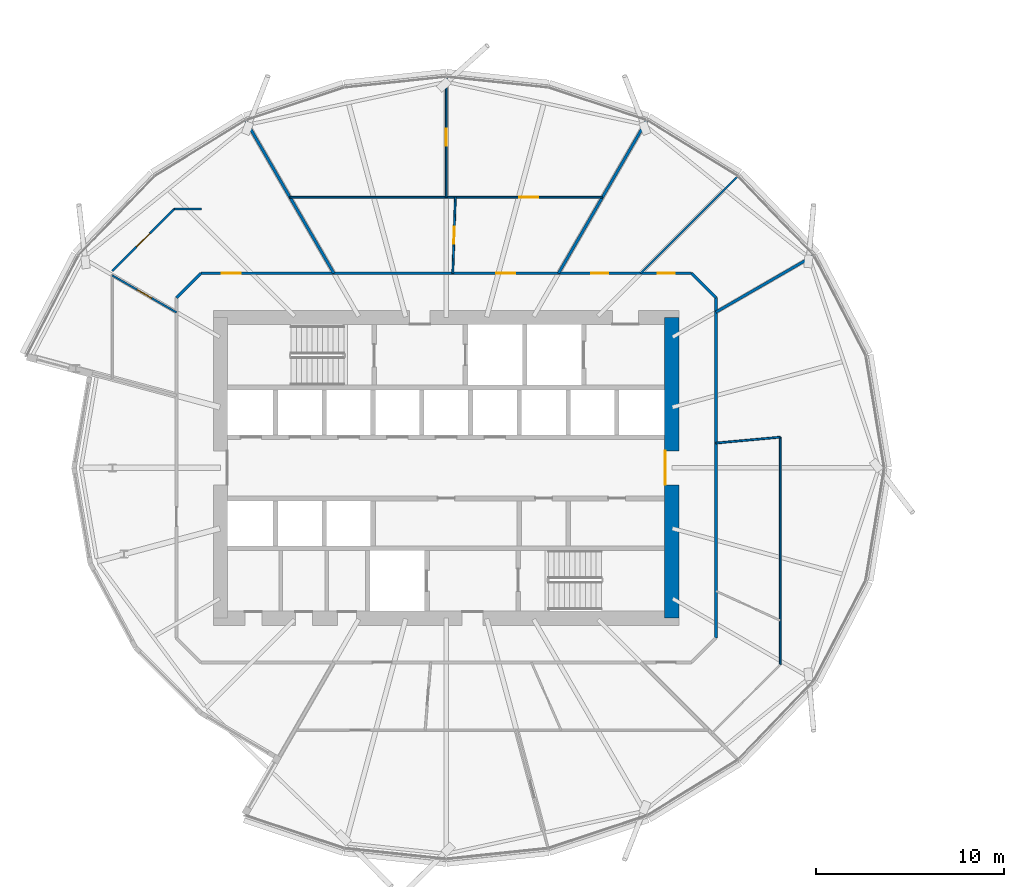
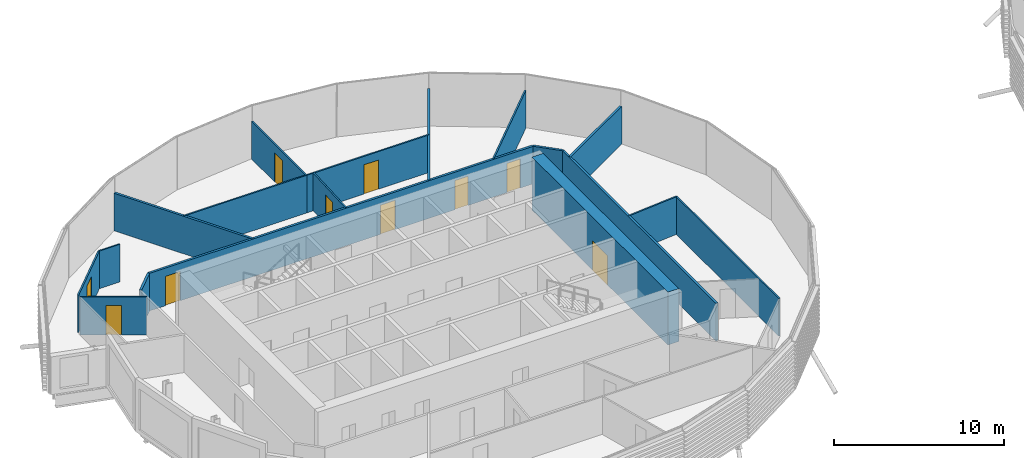
# One storey, part 23 of 39: 18 walls, 10 doors, 10 openings.
"""IFC4 building model written with IfcOpenShell, lengths in metres."""

from ifc_helpers import new_model, si_unit, direction, frame, frame_2d, origin, place, context, subcontext, project, spatial, rectangle, extrude, material, layer, layer_set, type_object, element, fill, save


model = new_model("IFC4")

# Units and contexts
model_context = context("Model", 3, precision=1e-05, world=origin(), true_north=direction((0.0, 1.0)))
body_context = subcontext(model_context, "Body", "Model", "MODEL_VIEW")
ifc_project = project(units=[si_unit("LENGTHUNIT", "METRE"), si_unit("AREAUNIT", "SQUARE_METRE"), si_unit("VOLUMEUNIT", "CUBIC_METRE"), si_unit("PLANEANGLEUNIT", "RADIAN"), si_unit("MASSUNIT", "GRAM", prefix="KILO")], contexts=[model_context])

# Site, building, storey
site_placement = place(None, origin())
site = spatial("IfcSite", under=ifc_project, at=site_placement, CompositionType="ELEMENT")
building_placement = place(site_placement, origin())
building = spatial("IfcBuilding", under=site, at=building_placement, Name="Rimbun Link Towers", CompositionType="ELEMENT")
storey_placement = place(building_placement, frame((0.0, 0.0, 112.0)))
storey = spatial("IfcBuildingStorey", under=building, at=storey_placement, Name="L27", CompositionType="ELEMENT", Elevation=112.0)

# Wall, opening, door
ifc_material_1 = material(Name="Concrete C60/75", Category="concrete")
ifc_layer_1 = layer(ifc_material_1, 0.75)
ifc_layer_set_1 = layer_set([ifc_layer_1], Name="Core shear wall 750")
wall_type_1 = type_object("IfcWallType", Name="Core shear wall 750", PredefinedType="SHEAR", material=ifc_layer_set_1)
wall_1_placement = place(storey_placement, frame((-19.75, -8.0, 0.0), z_axis=(0.0, 0.0, 1.0), x_axis=(0.0, 1.0, 0.0)))
wall_1 = element("IfcWall", 1, at=wall_1_placement, inside=storey, type_object=wall_type_1, Name="L27 T1 core wall E", PredefinedType="SHEAR", context=body_context, shape_type="SweptSolid", body=[
    extrude(rectangle(XDim=16.0, YDim=0.75, at=frame_2d((8.0, 0.0))), origin(), (0.0, 0.0, 1.0), 3.800048828125),
])
opening_1_placement = place(wall_1_placement, frame((7.10009765625, 0.0, 0.0)))
opening_1 = element("IfcOpeningElement", 2, at=opening_1_placement, cuts=wall_1, Name="Opening C1DCL01E", PredefinedType="OPENING", context=body_context, shape_type="SweptSolid", body=[
    extrude(rectangle(XDim=1.800048828125, YDim=2.10009765625, at=frame_2d((0.89990234375, 1.050048828125))), frame((0.0, 0.385009765625, 0.0), z_axis=(0.0, -1.0, 0.0), x_axis=(1.0, 0.0, 0.0)), (0.0, 0.0, 1.0), 0.77001953125),
])
ifc_material_2 = material(Name="Steel fire door set", Category="steel")
door_type_1 = type_object("IfcDoorType", Name="Core lobby door double", OperationType="DOUBLE_DOOR_SINGLE_SWING", PredefinedType="DOOR", material=ifc_material_2)
door_1_placement = place(opening_1_placement, origin())
door_1 = element("IfcDoor", 3, at=door_1_placement, inside=storey, type_object=door_type_1, Name="L27 T1 lift lobby door", OperationType="DOUBLE_DOOR_SINGLE_SWING", OverallHeight=2.10009765625, OverallWidth=1.800048828125, PredefinedType="DOOR", context=body_context, shape_type="SweptSolid", body=[
    extrude(rectangle(XDim=1.800048828125, YDim=2.10009765625, at=frame_2d((0.89990234375, 1.050048828125))), frame((0.0, 0.375, 0.0), z_axis=(0.0, -1.0, 0.0), x_axis=(1.0, 0.0, 0.0)), (0.0, 0.0, 1.0), 0.050048828125),
])
fill(opening_1, door_1)

# Wall, openings, doors
ifc_material_3 = material(Name="Plasterboard on steel stud, mineral wool", Category="steel")
ifc_layer_2 = layer(ifc_material_3, 0.14990234375)
ifc_layer_set_2 = layer_set([ifc_layer_2], Name="Corridor wall EI 30 150 mm")
wall_type_2 = type_object("IfcWallType", Name="Corridor wall EI 30 150 mm", PredefinedType="PARTITIONING", material=ifc_layer_set_2)
wall_2_placement = place(storey_placement, frame((-44.8017578125, 10.35009765625, 0.0), z_axis=(0.0, 0.0, 1.0), x_axis=(1.0, 0.0, 0.0)))
wall_2 = element("IfcWall", 4, at=wall_2_placement, inside=storey, type_object=wall_type_2, Name="Corridor wall EI 30 150 mm", PredefinedType="PARTITIONING", context=body_context, shape_type="SweptSolid", body=[
    extrude(rectangle(XDim=26.103515625, YDim=0.14990234375, at=frame_2d((13.0517578125, 0.0))), origin(), (0.0, 0.0, 1.0), 2.701904296875),
])
opening_2_placement = place(wall_2_placement, frame((24.302490234375, 0.0, 0.0)))
opening_2 = element("IfcOpeningElement", 5, at=opening_2_placement, cuts=wall_2, Name="Opening D02", PredefinedType="OPENING", context=body_context, shape_type="SweptSolid", body=[
    extrude(rectangle(XDim=0.89990234375, YDim=2.10009765625, at=frame_2d((0.449951171875, 1.050048828125))), frame((0.0, 0.0849609375, 0.0), z_axis=(0.0, -1.0, 0.0), x_axis=(1.0, 0.0, 0.0)), (0.0, 0.0, 1.0), 0.169921875),
])
opening_3_placement = place(wall_2_placement, frame((20.764404296875, 0.0, 0.0)))
opening_3 = element("IfcOpeningElement", 6, at=opening_3_placement, cuts=wall_2, Name="Opening D02", PredefinedType="OPENING", context=body_context, shape_type="SweptSolid", body=[
    extrude(rectangle(XDim=0.89990234375, YDim=2.10009765625, at=frame_2d((0.449951171875, 1.050048828125))), frame((0.0, 0.0849609375, 0.0), z_axis=(0.0, -1.0, 0.0), x_axis=(1.0, 0.0, 0.0)), (0.0, 0.0, 1.0), 0.169921875),
])
opening_4_placement = place(wall_2_placement, frame((15.714599609375, 0.0, 0.0)))
opening_4 = element("IfcOpeningElement", 7, at=opening_4_placement, cuts=wall_2, Name="Opening D01", PredefinedType="OPENING", context=body_context, shape_type="SweptSolid", body=[
    extrude(rectangle(XDim=1.0, YDim=2.10009765625, at=frame_2d((0.5, 1.050048828125))), frame((0.0, 0.0849609375, 0.0), z_axis=(0.0, -1.0, 0.0), x_axis=(1.0, 0.0, 0.0)), (0.0, 0.0, 1.0), 0.169921875),
])
opening_5_placement = place(wall_2_placement, frame((1.1123046875, 0.0, 0.0)))
opening_5 = element("IfcOpeningElement", 8, at=opening_5_placement, cuts=wall_2, Name="Opening D01", PredefinedType="OPENING", context=body_context, shape_type="SweptSolid", body=[
    extrude(rectangle(XDim=1.0, YDim=2.10009765625, at=frame_2d((0.5, 1.050048828125))), frame((0.0, 0.0849609375, 0.0), z_axis=(0.0, -1.0, 0.0), x_axis=(1.0, 0.0, 0.0)), (0.0, 0.0, 1.0), 0.169921875),
])
ifc_material_4 = material(Name="Fire-resisting timber door leaf", Category="wood")
door_type_2 = type_object("IfcDoorType", Name="Fire door FD30S 1000", OperationType="NOTDEFINED", PredefinedType="DOOR", material=ifc_material_4)
door_2_placement = place(opening_4_placement, origin())
door_2 = element("IfcDoor", 9, at=door_2_placement, inside=storey, type_object=door_type_2, Name="Fire door FD30S 1000 to Reception", OperationType="SINGLE_SWING_LEFT", OverallHeight=2.10009765625, OverallWidth=1.0, PredefinedType="DOOR", context=body_context, shape_type="SweptSolid", body=[
    extrude(rectangle(XDim=1.0, YDim=2.10009765625, at=frame_2d((0.5, 1.050048828125))), frame((0.0, 0.02490234375, 0.0), z_axis=(0.0, -1.0, 0.0), x_axis=(1.0, 0.0, 0.0)), (0.0, 0.0, 1.0), 0.050048828125),
])
fill(opening_4, door_2)
door_3_placement = place(opening_5_placement, origin())
door_3 = element("IfcDoor", 10, at=door_3_placement, inside=storey, type_object=door_type_2, Name="Fire door FD30S 1000 to Reception", OperationType="SINGLE_SWING_RIGHT", OverallHeight=2.10009765625, OverallWidth=1.0, PredefinedType="DOOR", context=body_context, shape_type="SweptSolid", body=[
    extrude(rectangle(XDim=1.0, YDim=2.10009765625, at=frame_2d((0.5, 1.050048828125))), frame((0.0, 0.02490234375, 0.0), z_axis=(0.0, -1.0, 0.0), x_axis=(1.0, 0.0, 0.0)), (0.0, 0.0, 1.0), 0.050048828125),
])
fill(opening_5, door_3)
ifc_material_5 = material(Name="Fire-resisting timber door leaf", Category="wood")
door_type_3 = type_object("IfcDoorType", Name="Fire door FD30S 900", OperationType="NOTDEFINED", PredefinedType="DOOR", material=ifc_material_5)
door_4_placement = place(opening_2_placement, origin())
door_4 = element("IfcDoor", 11, at=door_4_placement, inside=storey, type_object=door_type_3, Name="Fire door FD30S 900 to Cellular office", OperationType="SINGLE_SWING_RIGHT", OverallHeight=2.10009765625, OverallWidth=0.89990234375, PredefinedType="DOOR", context=body_context, shape_type="SweptSolid", body=[
    extrude(rectangle(XDim=0.89990234375, YDim=2.10009765625, at=frame_2d((0.449951171875, 1.050048828125))), frame((0.0, 0.02490234375, 0.0), z_axis=(0.0, -1.0, 0.0), x_axis=(1.0, 0.0, 0.0)), (0.0, 0.0, 1.0), 0.050048828125),
])
fill(opening_2, door_4)
door_5_placement = place(opening_3_placement, origin())
door_5 = element("IfcDoor", 12, at=door_5_placement, inside=storey, type_object=door_type_3, Name="Fire door FD30S 900 to Cellular office", OperationType="SINGLE_SWING_RIGHT", OverallHeight=2.10009765625, OverallWidth=0.89990234375, PredefinedType="DOOR", context=body_context, shape_type="SweptSolid", body=[
    extrude(rectangle(XDim=0.89990234375, YDim=2.10009765625, at=frame_2d((0.449951171875, 1.050048828125))), frame((0.0, 0.02490234375, 0.0), z_axis=(0.0, -1.0, 0.0), x_axis=(1.0, 0.0, 0.0)), (0.0, 0.0, 1.0), 0.050048828125),
])
fill(opening_3, door_5)

# Walls
wall_3_placement = place(storey_placement, frame((-17.39990234375, 9.0517578125, 0.0), z_axis=(0.0, 0.0, 1.0), x_axis=(-0.707106781187, 0.707106781187, 0.0)))
element("IfcWall", 13, at=wall_3_placement, inside=storey, type_object=wall_type_2, Name="Corridor wall EI 30 150 mm", PredefinedType="PARTITIONING", context=body_context, shape_type="SweptSolid", body=[
    extrude(rectangle(XDim=1.836181640625, YDim=0.14990234375, at=frame_2d((0.91796875, 0.0))), origin(), (0.0, 0.0, 1.0), 2.701904296875),
])
wall_4_placement = place(storey_placement, frame((-17.39990234375, -9.0517578125, 0.0), z_axis=(0.0, 0.0, 1.0), x_axis=(0.0, 1.0, 0.0)))
element("IfcWall", 14, at=wall_4_placement, inside=storey, type_object=wall_type_2, Name="Corridor wall EI 30 150 mm", PredefinedType="PARTITIONING", context=body_context, shape_type="SweptSolid", body=[
    extrude(rectangle(XDim=18.103515625, YDim=0.14990234375, at=frame_2d((9.0517578125, 0.0))), origin(), (0.0, 0.0, 1.0), 2.701904296875),
])
wall_5_placement = place(storey_placement, frame((-44.8017578125, 10.35009765625, 0.0), z_axis=(0.0, 0.0, 1.0), x_axis=(-0.707106781187, -0.707106781187, 0.0)))
element("IfcWall", 15, at=wall_5_placement, inside=storey, type_object=wall_type_2, Name="Corridor wall EI 30 150 mm", PredefinedType="PARTITIONING", context=body_context, shape_type="SweptSolid", body=[
    extrude(rectangle(XDim=1.836181640625, YDim=0.14990234375, at=frame_2d((0.91796875, 0.0))), origin(), (0.0, 0.0, 1.0), 2.701904296875),
])
ifc_material_6 = material(Name="Plasterboard on steel stud", Category="steel")
ifc_layer_3 = layer(ifc_material_6, 0.10009765625)
ifc_layer_set_3 = layer_set([ifc_layer_3], Name="Plasterboard partition 100 mm")
wall_type_3 = type_object("IfcWallType", Name="Plasterboard partition 100 mm", PredefinedType="PARTITIONING", material=ifc_layer_set_3)
wall_6_placement = place(storey_placement, frame((-13.97998046875, -10.46826171875, 0.0), z_axis=(0.0, 0.0, 1.0), x_axis=(0.0, 1.0, 0.0)))
element("IfcWall", 16, at=wall_6_placement, inside=storey, type_object=wall_type_3, Name="Plasterboard partition 100 mm", PredefinedType="PARTITIONING", context=body_context, shape_type="SweptSolid", body=[
    extrude(rectangle(XDim=12.101806640625, YDim=0.10009765625, at=frame_2d((6.05078125, 0.0))), origin(), (0.0, 0.0, 1.0), 2.701904296875),
])
wall_7_placement = place(storey_placement, frame((-13.97998046875, 1.633544921875, 0.0), z_axis=(0.0, 0.0, 1.0), x_axis=(-0.995799448396, -0.09156122855, 0.0)))
element("IfcWall", 17, at=wall_7_placement, inside=storey, type_object=wall_type_3, Name="Plasterboard partition 100 mm", PredefinedType="PARTITIONING", context=body_context, shape_type="SweptSolid", body=[
    extrude(rectangle(XDim=3.434326171875, YDim=0.10009765625, at=frame_2d((1.71728515625, 0.0))), origin(), (0.0, 0.0, 1.0), 2.701904296875),
])
wall_8_placement = place(storey_placement, frame((-16.243408203125, 15.506591796875, 0.0), z_axis=(0.0, 0.0, 1.0), x_axis=(-0.707106781187, -0.707106781187, 0.0)))
element("IfcWall", 18, at=wall_8_placement, inside=storey, type_object=wall_type_3, Name="Plasterboard partition 100 mm", PredefinedType="PARTITIONING", context=body_context, shape_type="SweptSolid", body=[
    extrude(rectangle(XDim=7.29248046875, YDim=0.10009765625, at=frame_2d((3.646240234375, 0.0))), origin(), (0.0, 0.0, 1.0), 2.701904296875),
])

# Wall, opening, door
wall_9_placement = place(storey_placement, frame((-31.399658203125, 10.35009765625, 0.0), z_axis=(0.0, 0.0, 1.0), x_axis=(0.03380030433, 0.999428606468, 0.0)))
wall_9 = element("IfcWall", 19, at=wall_9_placement, inside=storey, type_object=wall_type_3, Name="Plasterboard partition 100 mm", PredefinedType="PARTITIONING", context=body_context, shape_type="SweptSolid", body=[
    extrude(rectangle(XDim=4.052001953125, YDim=0.10009765625, at=frame_2d((2.02587890625, 0.0))), origin(), (0.0, 0.0, 1.0), 2.701904296875),
])
opening_6_placement = place(wall_9_placement, frame((1.576171875, 0.0, 0.0)))
opening_6 = element("IfcOpeningElement", 20, at=opening_6_placement, cuts=wall_9, Name="Opening D04", PredefinedType="OPENING", context=body_context, shape_type="SweptSolid", body=[
    extrude(rectangle(XDim=0.89990234375, YDim=2.10009765625, at=frame_2d((0.449951171875, 1.050048828125))), frame((0.0, 0.06005859375, 0.0), z_axis=(0.0, -1.0, 0.0), x_axis=(1.0, 0.0, 0.0)), (0.0, 0.0, 1.0), 0.1201171875),
])
ifc_material_7 = material(Name="Timber door leaf", Category="wood")
door_type_4 = type_object("IfcDoorType", Name="Flush door 900", OperationType="NOTDEFINED", PredefinedType="DOOR", material=ifc_material_7)
door_6_placement = place(opening_6_placement, origin())
door_6 = element("IfcDoor", 21, at=door_6_placement, inside=storey, type_object=door_type_4, Name="Flush door 900 to Pantry", OperationType="SINGLE_SWING_LEFT", OverallHeight=2.10009765625, OverallWidth=0.89990234375, PredefinedType="DOOR", context=body_context, shape_type="SweptSolid", body=[
    extrude(rectangle(XDim=0.89990234375, YDim=2.10009765625, at=frame_2d((0.449951171875, 1.050048828125))), frame((0.0, 0.02490234375, 0.0), z_axis=(0.0, -1.0, 0.0), x_axis=(1.0, 0.0, 0.0)), (0.0, 0.0, 1.0), 0.050048828125),
])
fill(opening_6, door_6)

wall_10_placement = place(storey_placement, frame((-31.75, 14.39990234375, 0.0), z_axis=(0.0, 0.0, 1.0), x_axis=(1.0, 0.0, 0.0)))
wall_10 = element("IfcWall", 22, at=wall_10_placement, inside=storey, type_object=wall_type_3, Name="Plasterboard partition 100 mm", PredefinedType="PARTITIONING", context=body_context, shape_type="SweptSolid", body=[
    extrude(rectangle(XDim=8.31396484375, YDim=0.10009765625, at=frame_2d((4.156982421875, 0.0))), origin(), (0.0, 0.0, 1.0), 2.701904296875),
])
opening_7_placement = place(wall_10_placement, frame((3.885498046875, 0.0, 0.0)))
opening_7 = element("IfcOpeningElement", 23, at=opening_7_placement, cuts=wall_10, Name="Opening D03", PredefinedType="OPENING", context=body_context, shape_type="SweptSolid", body=[
    extrude(rectangle(XDim=1.0, YDim=2.10009765625, at=frame_2d((0.5, 1.050048828125))), frame((0.0, 0.06005859375, 0.0), z_axis=(0.0, -1.0, 0.0), x_axis=(1.0, 0.0, 0.0)), (0.0, 0.0, 1.0), 0.1201171875),
])
ifc_material_8 = material(Name="Timber door leaf", Category="wood")
door_type_5 = type_object("IfcDoorType", Name="Flush door 1000", OperationType="NOTDEFINED", PredefinedType="DOOR", material=ifc_material_8)
door_7_placement = place(opening_7_placement, origin())
door_7 = element("IfcDoor", 24, at=door_7_placement, inside=storey, type_object=door_type_5, Name="Flush door 1000 to Boardroom", OperationType="SINGLE_SWING_RIGHT", OverallHeight=2.10009765625, OverallWidth=1.0, PredefinedType="DOOR", context=body_context, shape_type="SweptSolid", body=[
    extrude(rectangle(XDim=1.0, YDim=2.10009765625, at=frame_2d((0.5, 1.050048828125))), frame((0.0, 0.02490234375, 0.0), z_axis=(0.0, -1.0, 0.0), x_axis=(1.0, 0.0, 0.0)), (0.0, 0.0, 1.0), 0.050048828125),
])
fill(opening_7, door_7)

# Wall
wall_11_placement = place(storey_placement, frame((-31.75, 14.39990234375, 0.0), z_axis=(0.0, 0.0, 1.0), x_axis=(-1.0, 0.0, 0.0)))
element("IfcWall", 25, at=wall_11_placement, inside=storey, type_object=wall_type_3, Name="Plasterboard partition 100 mm", PredefinedType="PARTITIONING", context=body_context, shape_type="SweptSolid", body=[
    extrude(rectangle(XDim=8.31396484375, YDim=0.10009765625, at=frame_2d((4.156982421875, 0.0))), origin(), (0.0, 0.0, 1.0), 2.701904296875),
])

# Wall, opening, door
wall_12_placement = place(storey_placement, frame((-31.75, 14.39990234375, 0.0), z_axis=(0.0, 0.0, 1.0), x_axis=(0.0, 1.0, 0.0)))
wall_12 = element("IfcWall", 26, at=wall_12_placement, inside=storey, type_object=wall_type_3, Name="Plasterboard partition 100 mm", PredefinedType="PARTITIONING", context=body_context, shape_type="SweptSolid", body=[
    extrude(rectangle(XDim=6.38818359375, YDim=0.10009765625, at=frame_2d((3.194091796875, 0.0))), origin(), (0.0, 0.0, 1.0), 2.701904296875),
])
opening_8_placement = place(wall_12_placement, frame((2.743896484375, 0.0, 0.0)))
opening_8 = element("IfcOpeningElement", 27, at=opening_8_placement, cuts=wall_12, Name="Opening D04", PredefinedType="OPENING", context=body_context, shape_type="SweptSolid", body=[
    extrude(rectangle(XDim=0.89990234375, YDim=2.10009765625, at=frame_2d((0.449951171875, 1.050048828125))), frame((0.0, 0.06005859375, 0.0), z_axis=(0.0, -1.0, 0.0), x_axis=(1.0, 0.0, 0.0)), (0.0, 0.0, 1.0), 0.1201171875),
])
door_8_placement = place(opening_8_placement, origin())
door_8 = element("IfcDoor", 28, at=door_8_placement, inside=storey, type_object=door_type_4, Name="Flush door 900 to Meeting room", OperationType="SINGLE_SWING_LEFT", OverallHeight=2.10009765625, OverallWidth=0.89990234375, PredefinedType="DOOR", context=body_context, shape_type="SweptSolid", body=[
    extrude(rectangle(XDim=0.89990234375, YDim=2.10009765625, at=frame_2d((0.449951171875, 1.050048828125))), frame((0.0, 0.02490234375, 0.0), z_axis=(0.0, -1.0, 0.0), x_axis=(1.0, 0.0, 0.0)), (0.0, 0.0, 1.0), 0.050048828125),
])
fill(opening_8, door_8)

wall_13_placement = place(storey_placement, frame((-46.10009765625, 8.26953125, 0.0), z_axis=(0.0, 0.0, 1.0), x_axis=(-0.866414091521, 0.499326167965, 0.0)))
wall_13 = element("IfcWall", 29, at=wall_13_placement, inside=storey, type_object=wall_type_3, Name="Plasterboard partition 100 mm", PredefinedType="PARTITIONING", context=body_context, shape_type="SweptSolid", body=[
    extrude(rectangle(XDim=3.947265625, YDim=0.10009765625, at=frame_2d((1.9736328125, 0.0))), origin(), (0.0, 0.0, 1.0), 2.701904296875),
])
opening_9_placement = place(wall_13_placement, frame((1.523681640625, 0.0, 0.0)))
opening_9 = element("IfcOpeningElement", 30, at=opening_9_placement, cuts=wall_13, Name="Opening D04", PredefinedType="OPENING", context=body_context, shape_type="SweptSolid", body=[
    extrude(rectangle(XDim=0.89990234375, YDim=2.10009765625, at=frame_2d((0.449951171875, 1.050048828125))), frame((0.0, 0.06005859375, 0.0), z_axis=(0.0, -1.0, 0.0), x_axis=(1.0, 0.0, 0.0)), (0.0, 0.0, 1.0), 0.1201171875),
])
door_9_placement = place(opening_9_placement, origin())
door_9 = element("IfcDoor", 31, at=door_9_placement, inside=storey, type_object=door_type_4, Name="Flush door 900 to Meeting room", OperationType="SINGLE_SWING_RIGHT", OverallHeight=2.10009765625, OverallWidth=0.89990234375, PredefinedType="DOOR", context=body_context, shape_type="SweptSolid", body=[
    extrude(rectangle(XDim=0.89990234375, YDim=2.10009765625, at=frame_2d((0.449951171875, 1.050048828125))), frame((0.0, 0.02490234375, 0.0), z_axis=(0.0, -1.0, 0.0), x_axis=(1.0, 0.0, 0.0)), (0.0, 0.0, 1.0), 0.050048828125),
])
fill(opening_9, door_9)

wall_14_placement = place(storey_placement, frame((-49.52001953125, 10.46826171875, 0.0), z_axis=(0.0, 0.0, 1.0), x_axis=(0.707106781187, 0.707106781187, 0.0)))
wall_14 = element("IfcWall", 32, at=wall_14_placement, inside=storey, type_object=wall_type_3, Name="Plasterboard partition 100 mm", PredefinedType="PARTITIONING", context=body_context, shape_type="SweptSolid", body=[
    extrude(rectangle(XDim=4.66943359375, YDim=0.10009765625, at=frame_2d((2.334716796875, 0.0))), origin(), (0.0, 0.0, 1.0), 2.701904296875),
])
opening_10_placement = place(wall_14_placement, frame((1.834716796875, 0.0, 0.0)))
opening_10 = element("IfcOpeningElement", 33, at=opening_10_placement, cuts=wall_14, Name="Opening D03", PredefinedType="OPENING", context=body_context, shape_type="SweptSolid", body=[
    extrude(rectangle(XDim=1.0, YDim=2.10009765625, at=frame_2d((0.5, 1.050048828125))), frame((0.0, 0.06005859375, 0.0), z_axis=(0.0, -1.0, 0.0), x_axis=(1.0, 0.0, 0.0)), (0.0, 0.0, 1.0), 0.1201171875),
])
door_10_placement = place(opening_10_placement, origin())
door_10 = element("IfcDoor", 34, at=door_10_placement, inside=storey, type_object=door_type_5, Name="Flush door 1000 to Open office", OperationType="SINGLE_SWING_LEFT", OverallHeight=2.10009765625, OverallWidth=1.0, PredefinedType="DOOR", context=body_context, shape_type="SweptSolid", body=[
    extrude(rectangle(XDim=1.0, YDim=2.10009765625, at=frame_2d((0.5, 1.050048828125))), frame((0.0, 0.02490234375, 0.0), z_axis=(0.0, -1.0, 0.0), x_axis=(1.0, 0.0, 0.0)), (0.0, 0.0, 1.0), 0.050048828125),
])
fill(opening_10, door_10)

# Walls
wall_15_placement = place(storey_placement, frame((-44.78271484375, 13.77001953125, 0.0), z_axis=(0.0, 0.0, 1.0), x_axis=(-1.0, 0.0, 0.0)))
element("IfcWall", 35, at=wall_15_placement, inside=storey, type_object=wall_type_3, Name="Plasterboard partition 100 mm", PredefinedType="PARTITIONING", context=body_context, shape_type="SweptSolid", body=[
    extrude(rectangle(XDim=1.435546875, YDim=0.10009765625, at=frame_2d((0.7177734375, 0.0))), origin(), (0.0, 0.0, 1.0), 2.701904296875),
])
ifc_material_9 = material(Name="Plasterboard on steel stud, mineral wool", Category="steel")
ifc_layer_4 = layer(ifc_material_9, 0.14990234375)
ifc_layer_set_4 = layer_set([ifc_layer_4], Name="Tenancy separation wall EI 60 150 mm")
wall_type_4 = type_object("IfcWallType", Name="Tenancy separation wall EI 60 150 mm", PredefinedType="PARTITIONING", material=ifc_layer_set_4)
wall_16_placement = place(storey_placement, frame((-17.39990234375, 8.284912109375, 0.0), z_axis=(0.0, 0.0, 1.0), x_axis=(0.866023117852, 0.500003959331, 0.0)))
element("IfcWall", 36, at=wall_16_placement, inside=storey, type_object=wall_type_4, Name="Tenancy separation wall EI 60 150 mm", PredefinedType="PARTITIONING", context=body_context, shape_type="SweptSolid", body=[
    extrude(rectangle(XDim=6.005859375, YDim=0.14990234375, at=frame_2d((3.0029296875, 0.0))), origin(), (0.0, 0.0, 1.0), 2.701904296875),
])
for number, where, z_axis, x_axis, name in (
    (37, (-25.7744140625, 10.35009765625, 0.0), (0.0, 0.0, 1.0), (0.500000186108, 0.866025296335, 0.0), "Tenancy separation wall EI 60 150 mm"),
    (38, (-37.7255859375, 10.35009765625, 0.0), (0.0, 0.0, 1.0), (-0.500000186108, 0.866025296335, 0.0), "Tenancy separation wall EI 60 150 mm"),
):
    element("IfcWall", number, at=place(storey_placement, frame(where, z_axis=z_axis, x_axis=x_axis)), inside=storey, type_object=wall_type_4, Name=name, PredefinedType="PARTITIONING", context=body_context, shape_type="SweptSolid", body=[
        extrude(rectangle(XDim=9.384765625, YDim=0.14990234375, at=frame_2d((4.6923828125, 0.0))), origin(), (0.0, 0.0, 1.0), 2.701904296875),
    ])

save(model, "model.ifc")
